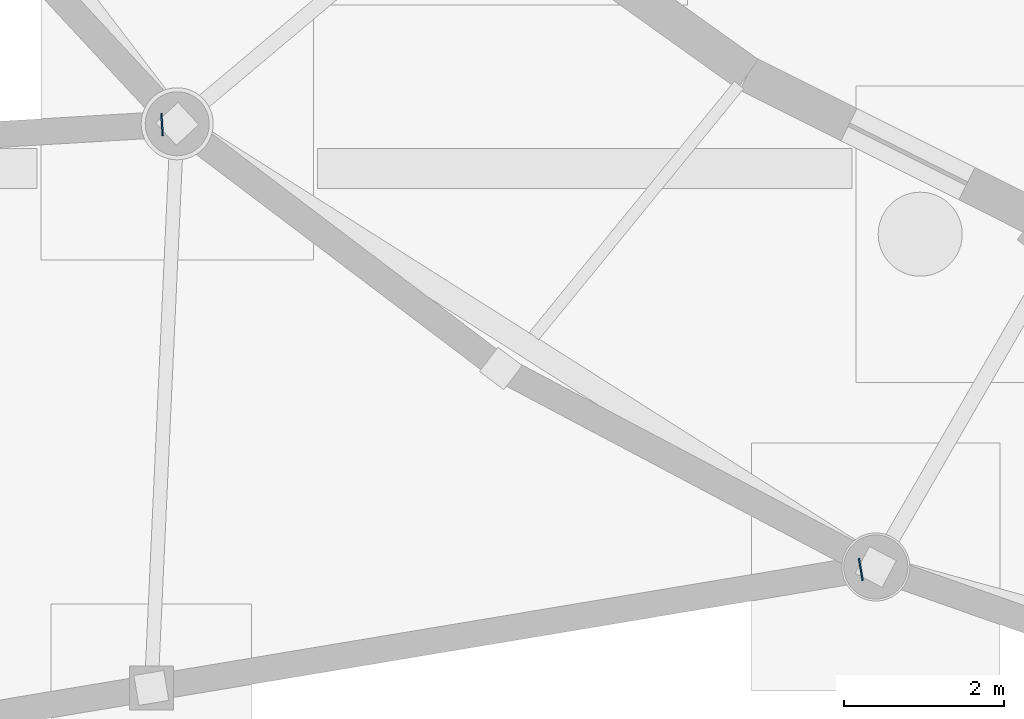
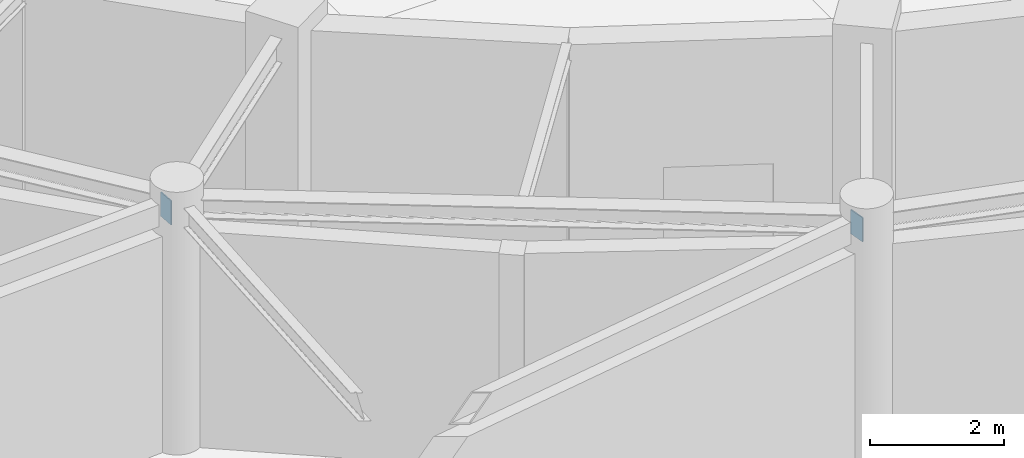
# One storey, part 18 of 42: 2 plates.
"""IFC4 building model written with IfcOpenShell, lengths in metres."""

from ifc_helpers import new_model, si_unit, direction, frame, origin, origin_2d, place, context, subcontext, project, spatial, rectangle, extrude, material, layer, layer_set, type_object, element, save


model = new_model("IFC4")

# Units and contexts
model_context = context("Model", 3, precision=1e-05, world=origin(), true_north=direction((0.0, 1.0)))
body_context = subcontext(model_context, "Body", "Model", "MODEL_VIEW")
ifc_project = project(units=[si_unit("LENGTHUNIT", "METRE"), si_unit("AREAUNIT", "SQUARE_METRE"), si_unit("VOLUMEUNIT", "CUBIC_METRE"), si_unit("PLANEANGLEUNIT", "RADIAN"), si_unit("MASSUNIT", "GRAM", prefix="KILO")], contexts=[model_context])

# Site, building, storey
site_placement = place(None, origin())
site = spatial("IfcSite", under=ifc_project, at=site_placement, CompositionType="ELEMENT")
building_placement = place(site_placement, origin())
building = spatial("IfcBuilding", under=site, at=building_placement, Name="Tarnveldt Headland Concert Hall", CompositionType="ELEMENT")
storey_placement = place(building_placement, frame((0.0, 0.0, -4.800048828125)))
storey = spatial("IfcBuildingStorey", under=building, at=storey_placement, Name="B1", CompositionType="ELEMENT", Elevation=-4.800048828125)

# Plates
ifc_material = material(Name="Steel S355", Category="steel")
ifc_layer = layer(ifc_material, 0.02001953125, Name="Steel S355", Category="steel")
ifc_layer_set = layer_set([ifc_layer], Name="Steel S355")
plate_type = type_object("IfcPlateType", Name="PL-CAP280", PredefinedType="SHEET", material=ifc_layer_set)
for number, where, z_axis, x_axis, name in (
    (1, (66.91259765625, 32.9912109375, 4.080078125), (0.0, 0.0, 1.0), (0.986343153931, 0.16470331719, 0.0), "Link beam east end cap plate B1-30"),
    (2, (58.18408203125, 38.547607421875, 4.080078125), (0.0, 0.0, 1.0), (0.998229461805, 0.059480598389, 0.0), "Link beam east end cap plate B1-38"),
):
    element("IfcPlate", number, at=place(storey_placement, frame(where, z_axis=z_axis, x_axis=x_axis)), inside=storey, type_object=plate_type, Name=name, PredefinedType="SHEET", context=body_context, shape_type="SweptSolid", body=[
        extrude(rectangle(XDim=0.02001953125, YDim=0.280029296875, at=origin_2d()), origin(), (0.0, 0.0, 1.0), 0.43994140625),
    ])

save(model, "model.ifc")
